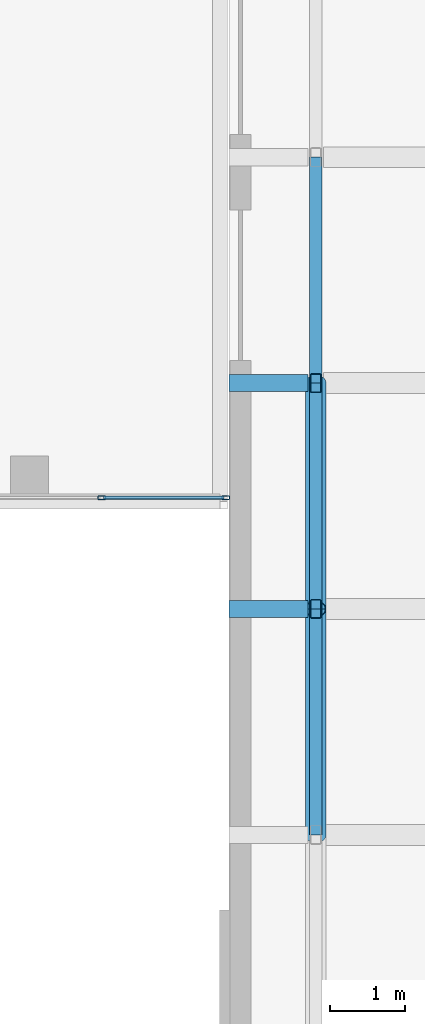
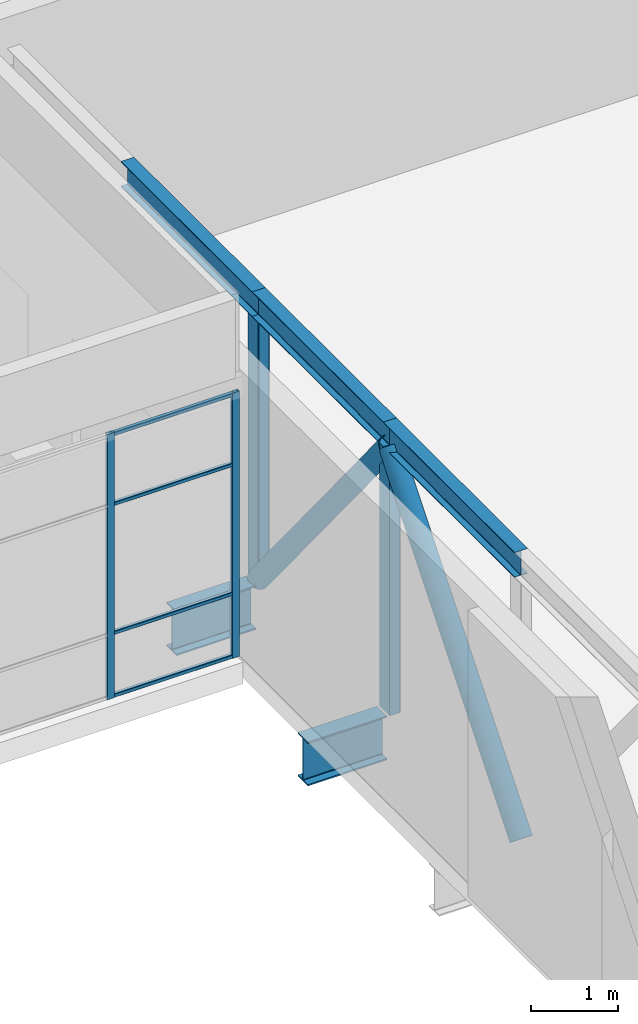
# One storey, part 12 of 72: 13 members, 2 beams, 1 element without a shape of its own.
"""IFC4 building model written with IfcOpenShell, lengths in metres."""

from ifc_helpers import new_model, si_unit, direction, frame, origin, origin_2d, place, context, subcontext, project, spatial, hollow_rectangle, hollow_circle, i_section, extrude, material, layer, layer_set, material_profile, profile_set, type_object, element, aggregate, save


model = new_model("IFC4")

# Units and contexts
model_context = context("Model", 3, precision=1e-05, world=origin(), true_north=direction((0.0, 1.0)))
body_context = subcontext(model_context, "Body", "Model", "MODEL_VIEW")
ifc_project = project(units=[si_unit("LENGTHUNIT", "METRE"), si_unit("AREAUNIT", "SQUARE_METRE"), si_unit("VOLUMEUNIT", "CUBIC_METRE"), si_unit("PLANEANGLEUNIT", "RADIAN"), si_unit("MASSUNIT", "GRAM", prefix="KILO")], contexts=[model_context])

# Site, building, storey
site_placement = place(None, origin())
site = spatial("IfcSite", under=ifc_project, at=site_placement, CompositionType="ELEMENT")
building_placement = place(site_placement, origin())
building = spatial("IfcBuilding", under=site, at=building_placement, Name="Tuart Plaza Theatre", CompositionType="ELEMENT")
storey_placement = place(building_placement, frame((0.0, 0.0, 13.5)))
storey = spatial("IfcBuildingStorey", under=building, at=storey_placement, Name="L03", CompositionType="ELEMENT", Elevation=13.5)

# Beams
ifc_material_1 = material(Name="Steel Grade 300", Category="steel")
ifc_material_profile_1 = material_profile(ifc_material_1, i_section(OverallWidth=0.22900390625, OverallDepth=0.612060546875, WebThickness=0.011962890625, FlangeThickness=0.01953125, FilletRadius=0.013916015625, at=origin_2d()), Name="610UB125")
ifc_profile_set_1 = profile_set([ifc_material_profile_1], Name="Steel Grade 300")
beam_type = type_object("IfcBeamType", Name="BEAM 610UB125", PredefinedType="BEAM", material=ifc_profile_set_1)
for number, where, z_axis, x_axis, name in (
    (1, (85.85009765625, 41.0, -0.555908203125), (1.0, 0.0, 0.0), (0.0, 1.0, 0.0), "SB109"),
    (2, (85.85009765625, 44.0, -0.555908203125), (1.0, 0.0, 0.0), (0.0, 1.0, 0.0), "SB112"),
):
    element("IfcBeam", number, at=place(storey_placement, frame(where, z_axis=z_axis, x_axis=x_axis)), inside=storey, type_object=beam_type, Name=name, PredefinedType="BEAM", context=body_context, shape_type="SweptSolid", body=[
        extrude(i_section(OverallWidth=0.22900390625, OverallDepth=0.612060546875, WebThickness=0.011962890625, FlangeThickness=0.01953125, FilletRadius=0.013916015625, at=origin_2d()), origin(), (0.0, 0.0, 1.0), 1.04541015625),
    ])

# Members
ifc_material_2 = material(Name="Steel Grade 300", Category="steel")
ifc_material_profile_2 = material_profile(ifc_material_2, i_section(OverallWidth=0.1708984375, OverallDepth=0.35205078125, WebThickness=0.0068359375, FlangeThickness=0.009765625, FilletRadius=0.011474609375, at=origin_2d()), Name="360UB44.7")
ifc_profile_set_2 = profile_set([ifc_material_profile_2], Name="Steel Grade 300")
member_type_1 = type_object("IfcMemberType", Name="BELT TRUSS Chord 360UB44.7", PredefinedType="CHORD", material=ifc_profile_set_2)
for number, where, z_axis, x_axis, name in (
    (3, (87.0, 38.0, 3.60009765625), (0.0, 1.0, 0.0), (-1.0, 0.0, 0.0), "CH44"),
    (4, (87.0, 41.0, 3.60009765625), (0.0, 1.0, 0.0), (-1.0, 0.0, 0.0), "CH45"),
    (5, (87.0, 44.0, 3.60009765625), (0.0, 1.0, 0.0), (-1.0, 0.0, 0.0), "CH46"),
):
    element("IfcMember", number, at=place(storey_placement, frame(where, z_axis=z_axis, x_axis=x_axis)), inside=storey, type_object=member_type_1, Name=name, PredefinedType="CHORD", context=body_context, shape_type="SweptSolid", body=[
        extrude(i_section(OverallWidth=0.1708984375, OverallDepth=0.35205078125, WebThickness=0.0068359375, FlangeThickness=0.009765625, FilletRadius=0.011474609375, at=origin_2d()), origin(), (0.0, 0.0, 1.0), 3.0),
    ])
ifc_material_3 = material(Name="Steel Grade C350L0", Category="steel")
ifc_material_profile_3 = material_profile(ifc_material_3, hollow_circle(Radius=0.136474609375, WallThickness=0.00927734375, at=origin_2d()), Name="273.1x9.3 CHS")
ifc_profile_set_3 = profile_set([ifc_material_profile_3], Name="Steel Grade C350L0")
member_type_2 = type_object("IfcMemberType", Name="BELT TRUSS Diagonal 273.1x9.3 CHS", PredefinedType="BRACE", material=ifc_profile_set_3)
for number, where, z_axis, x_axis, name in (
    (6, (87.0, 38.0, -0.25341796875), (0.0, 0.632119412197, 0.774870988438), (-1.0, 0.0, 0.0), "BR159"),
    (7, (87.0, 44.0, -0.25341796875), (0.0, -0.632119412197, 0.774870988438), (1.0, 0.0, 0.0), "BR161"),
):
    element("IfcMember", number, at=place(storey_placement, frame(where, z_axis=z_axis, x_axis=x_axis)), inside=storey, type_object=member_type_2, Name=name, PredefinedType="BRACE", context=body_context, shape_type="SweptSolid", body=[
        extrude(hollow_circle(Radius=0.136474609375, WallThickness=0.00927734375, at=origin_2d()), origin(), (0.0, 0.0, 1.0), 4.745849609375),
    ])
ifc_material_4 = material(Name="Steel Grade C350L0", Category="steel")
ifc_material_profile_4 = material_profile(ifc_material_4, hollow_rectangle(XDim=0.14990234375, YDim=0.25, WallThickness=0.009033203125, InnerFilletRadius=0.009033203125, OuterFilletRadius=0.01806640625, at=origin_2d()), Name="250x150x9 RHS")
ifc_profile_set_4 = profile_set([ifc_material_profile_4], Name="Steel Grade C350L0")
member_type_3 = type_object("IfcMemberType", Name="BELT TRUSS Post 250x150x9 RHS", PredefinedType="POST", material=ifc_profile_set_4)
for number, where, z_axis, x_axis, name in (
    (8, (87.0, 41.0, -0.25341796875), (0.0, 0.0, 1.0), (1.0, 0.0, 0.0), "PO219"),
    (9, (87.0, 44.0, -0.25341796875), (0.0, 0.0, 1.0), (1.0, 0.0, 0.0), "PO221"),
):
    element("IfcMember", number, at=place(storey_placement, frame(where, z_axis=z_axis, x_axis=x_axis)), inside=storey, type_object=member_type_3, Name=name, PredefinedType="POST", context=body_context, shape_type="SweptSolid", body=[
        extrude(hollow_rectangle(XDim=0.14990234375, YDim=0.25, WallThickness=0.009033203125, InnerFilletRadius=0.009033203125, OuterFilletRadius=0.01806640625, at=origin_2d()), origin(), (0.0, 0.0, 1.0), 3.677490234375),
    ])

# Curtain wall, members
ifc_material_5 = material(Name="Aluminium and glass", Category="aluminium")
ifc_layer = layer(ifc_material_5, 0.10009765625)
ifc_layer_set = layer_set([ifc_layer], Name="CURTAIN WALL 1500 module")
curtain_wall_type = type_object("IfcCurtainWallType", Name="CURTAIN WALL 1500 module", PredefinedType="NOTDEFINED", material=ifc_layer_set)
curtain_wall_placement = place(storey_placement, origin())
curtain_wall = element("IfcCurtainWall", 10, at=curtain_wall_placement, inside=storey, type_object=curtain_wall_type, Name="CW39", PredefinedType="NOTDEFINED")
ifc_material_6 = material(Name="Aluminium 6063-T5", Category="aluminium")
ifc_material_profile_5 = material_profile(ifc_material_6, hollow_rectangle(XDim=0.050048828125, YDim=0.10009765625, WallThickness=0.00390625, InnerFilletRadius=0.00390625, OuterFilletRadius=0.008056640625, at=origin_2d()), Name="RHS 100x50x4")
ifc_profile_set_5 = profile_set([ifc_material_profile_5], Name="Aluminium 6063-T5")
member_type_4 = type_object("IfcMemberType", Name="MULLION RHS 100x50x4", PredefinedType="MULLION", material=ifc_profile_set_5)
member_1_placement = place(storey_placement, frame((84.158447265625, 42.47802734375, 0.0), z_axis=(0.0, 0.0, 1.0), x_axis=(0.0, 1.0, 0.0)))
member_1 = element("IfcMember", 11, at=member_1_placement, type_object=member_type_4, Name="CW39 mullion 2", PredefinedType="MULLION", context=body_context, shape_type="SweptSolid", body=[
    extrude(hollow_rectangle(XDim=0.050048828125, YDim=0.10009765625, WallThickness=0.00390625, InnerFilletRadius=0.00390625, OuterFilletRadius=0.008056640625, at=origin_2d()), origin(), (0.0, 0.0, 1.0), 3.699951171875),
])
member_2_placement = place(storey_placement, frame((85.804931640625, 42.47802734375, 0.0), z_axis=(0.0, 0.0, 1.0), x_axis=(0.0, 1.0, 0.0)))
member_2 = element("IfcMember", 12, at=member_2_placement, type_object=member_type_4, Name="CW39 mullion 3", PredefinedType="MULLION", context=body_context, shape_type="SweptSolid", body=[
    extrude(hollow_rectangle(XDim=0.050048828125, YDim=0.10009765625, WallThickness=0.00390625, InnerFilletRadius=0.00390625, OuterFilletRadius=0.008056640625, at=origin_2d()), origin(), (0.0, 0.0, 1.0), 3.699951171875),
])
ifc_material_7 = material(Name="Aluminium 6063-T5", Category="aluminium")
ifc_material_profile_6 = material_profile(ifc_material_7, hollow_rectangle(XDim=0.050048828125, YDim=0.050048828125, WallThickness=0.00390625, InnerFilletRadius=0.00390625, OuterFilletRadius=0.008056640625, at=origin_2d()), Name="RHS 50x50x4")
ifc_profile_set_6 = profile_set([ifc_material_profile_6], Name="Aluminium 6063-T5")
member_type_5 = type_object("IfcMemberType", Name="TRANSOM RHS 50x50x4", PredefinedType="USERDEFINED", material=ifc_profile_set_6)
member_3_placement = place(storey_placement, frame((84.18359375, 42.47802734375, 0.02490234375), z_axis=(1.0, 0.0, 0.0), x_axis=(0.0, 1.0, 0.0)))
member_3 = element("IfcMember", 13, at=member_3_placement, type_object=member_type_5, Name="CW39 transom 2.1", ObjectType="TRANSOM", PredefinedType="USERDEFINED", context=body_context, shape_type="SweptSolid", body=[
    extrude(hollow_rectangle(XDim=0.050048828125, YDim=0.050048828125, WallThickness=0.00390625, InnerFilletRadius=0.00390625, OuterFilletRadius=0.008056640625, at=origin_2d()), origin(), (0.0, 0.0, 1.0), 1.596435546875),
])
member_4_placement = place(storey_placement, frame((84.18359375, 42.47802734375, 0.89990234375), z_axis=(1.0, 0.0, 0.0), x_axis=(0.0, 1.0, 0.0)))
member_4 = element("IfcMember", 14, at=member_4_placement, type_object=member_type_5, Name="CW39 transom 2.2", ObjectType="TRANSOM", PredefinedType="USERDEFINED", context=body_context, shape_type="SweptSolid", body=[
    extrude(hollow_rectangle(XDim=0.050048828125, YDim=0.050048828125, WallThickness=0.00390625, InnerFilletRadius=0.00390625, OuterFilletRadius=0.008056640625, at=origin_2d()), origin(), (0.0, 0.0, 1.0), 1.596435546875),
])
member_5_placement = place(storey_placement, frame((84.18359375, 42.47802734375, 2.699951171875), z_axis=(1.0, 0.0, 0.0), x_axis=(0.0, 1.0, 0.0)))
member_5 = element("IfcMember", 15, at=member_5_placement, type_object=member_type_5, Name="CW39 transom 2.3", ObjectType="TRANSOM", PredefinedType="USERDEFINED", context=body_context, shape_type="SweptSolid", body=[
    extrude(hollow_rectangle(XDim=0.050048828125, YDim=0.050048828125, WallThickness=0.00390625, InnerFilletRadius=0.00390625, OuterFilletRadius=0.008056640625, at=origin_2d()), origin(), (0.0, 0.0, 1.0), 1.596435546875),
])
member_6_placement = place(storey_placement, frame((84.18359375, 42.47802734375, 3.675048828125), z_axis=(1.0, 0.0, 0.0), x_axis=(0.0, 1.0, 0.0)))
member_6 = element("IfcMember", 16, at=member_6_placement, type_object=member_type_5, Name="CW39 transom 2.4", ObjectType="TRANSOM", PredefinedType="USERDEFINED", context=body_context, shape_type="SweptSolid", body=[
    extrude(hollow_rectangle(XDim=0.050048828125, YDim=0.050048828125, WallThickness=0.00390625, InnerFilletRadius=0.00390625, OuterFilletRadius=0.008056640625, at=origin_2d()), origin(), (0.0, 0.0, 1.0), 1.596435546875),
])
aggregate(curtain_wall, [member_1, member_2, member_3, member_4, member_5, member_6])

save(model, "model.ifc")
